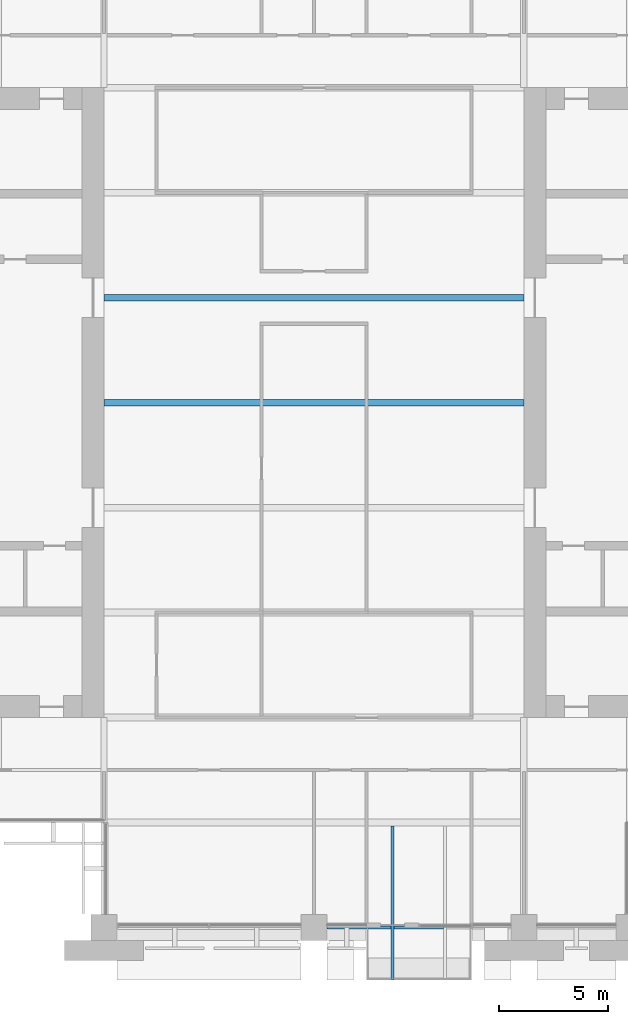
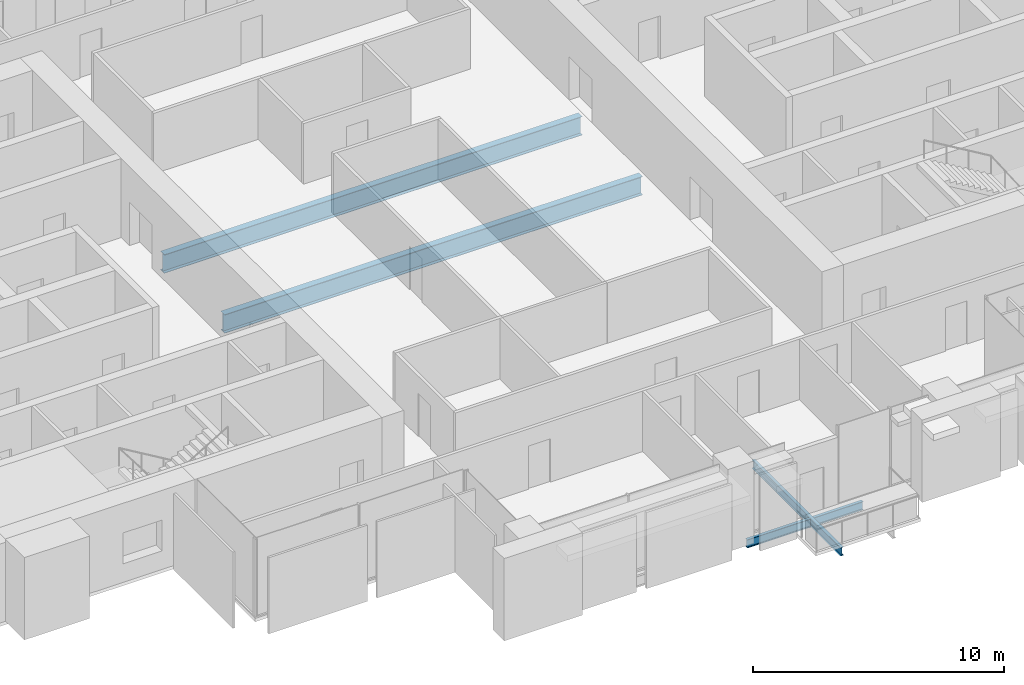
# One storey, part 3 of 15: 5 beams.
"""IFC4 building model written with IfcOpenShell, lengths in metres."""

import ifcopenshell
import ifcopenshell.guid

model = None  # the IFC model being written
_history = None  # IfcOwnerHistory: only IFC2X3 demands one
_inside = {}  # id of a spatial element -> (the spatial element, [elements in it])
_under = {}  # id of a project, library or spatial element -> (it, [spatial elements below it])
_declared = {}  # id of a project -> (the project, [libraries it declares])
_typed = {}  # id of a type object -> (the type object, [elements of that type])
_made_of = {}  # id of a material, layer set ... -> (it, [elements and type objects made of it])


def new_model(schema):
    """Start an empty IFC model of exactly this schema.

    Asked for "IFC4X3", IfcOpenShell would pick the latest addendum, in which some entities
    have other attributes; the version numbers below select the first issue.
    IFC2X3 requires an IfcOwnerHistory on every rooted entity: one is made here for all.
    """
    global model, _history
    if schema == "IFC4X3":
        model = ifcopenshell.file(schema_version=(4, 3, 0, 0))
    else:
        model = ifcopenshell.file(schema=schema)
    _inside.clear()
    _under.clear()
    _declared.clear()
    _typed.clear()
    _made_of.clear()
    _history = None
    if model.schema == "IFC2X3":
        org = make("IfcOrganization", Name="unknown")
        user = make(
            "IfcPersonAndOrganization",
            ThePerson=make("IfcPerson", FamilyName="unknown"),
            TheOrganization=org,
        )
        app = make(
            "IfcApplication",
            ApplicationDeveloper=org,
            Version="unknown",
            ApplicationFullName="unknown",
            ApplicationIdentifier="unknown",
        )
        _history = make(
            "IfcOwnerHistory",
            OwningUser=user,
            OwningApplication=app,
            ChangeAction="ADDED",
            CreationDate=0,
        )
    return model


def make(cls, **values):
    """One entity of the class cls with the attributes given. An attribute that is None is left unset."""
    return model.create_entity(
        cls, **{name: value for name, value in values.items() if value is not None}
    )


def rooted(cls, **values):
    """An entity with a GlobalId (a new one), such as an element, a storey or a relation."""
    return make(cls, GlobalId=ifcopenshell.guid.new(), OwnerHistory=_history, **values)


def si_unit(unit_type, name, prefix=None):
    """IfcSIUnit, for example si_unit("LENGTHUNIT", "METRE", prefix="MILLI")."""
    return make("IfcSIUnit", UnitType=unit_type, Prefix=prefix, Name=name)


def assignment(units):
    """IfcUnitAssignment: the units of a project."""
    return None if units is None else make("IfcUnitAssignment", Units=units)


def point(xyz):
    """IfcCartesianPoint."""
    return None if xyz is None else make("IfcCartesianPoint", Coordinates=xyz)


def direction(xyz):
    """IfcDirection."""
    return None if xyz is None else make("IfcDirection", DirectionRatios=xyz)


def frame(location, z_axis=None, x_axis=None):
    """IfcAxis2Placement3D, a coordinate frame: its origin and axes. An axis left out is left unset."""
    return make(
        "IfcAxis2Placement3D",
        Location=point(location),
        Axis=direction(z_axis),
        RefDirection=direction(x_axis),
    )


def frame_2d(location, x_axis=None):
    """IfcAxis2Placement2D, a coordinate frame in the plane: its origin and x axis."""
    return make(
        "IfcAxis2Placement2D", Location=point(location), RefDirection=direction(x_axis)
    )


def origin():
    """The frame at (0, 0, 0) with its axes left unset."""
    return frame((0.0, 0.0, 0.0))


def origin_2d():
    """The frame at (0, 0) in the plane with its x axis left unset."""
    return frame_2d((0.0, 0.0))


def place(relative_to, where):
    """IfcLocalPlacement: puts the frame where relative to a parent placement (None: the world)."""
    return make(
        "IfcLocalPlacement", PlacementRelTo=relative_to, RelativePlacement=where
    )


def context(
    kind, dimensions, precision=None, world=None, true_north=None, identifier=None
):
    """IfcGeometricRepresentationContext, for example the 3D "Model" context."""
    return make(
        "IfcGeometricRepresentationContext",
        ContextIdentifier=identifier,
        ContextType=kind,
        CoordinateSpaceDimension=dimensions,
        Precision=precision,
        WorldCoordinateSystem=world,
        TrueNorth=true_north,
    )


def subcontext(parent, identifier, kind, view, scale=None):
    """IfcGeometricRepresentationSubContext, for example "Body" below "Model"."""
    return make(
        "IfcGeometricRepresentationSubContext",
        ContextIdentifier=identifier,
        ContextType=kind,
        ParentContext=parent,
        TargetScale=scale,
        TargetView=view,
    )


def project(units=None, contexts=None):
    """IfcProject with its units and contexts."""
    return rooted(
        "IfcProject",
        Name="project",
        RepresentationContexts=contexts,
        UnitsInContext=assignment(units),
    )


def spatial(cls, under=None, at=None, **own):
    """A site, building, storey or space (cls), placed at a placement, below another one or the project."""
    s = rooted(cls, ObjectPlacement=at, **own)
    if under is not None:
        _under.setdefault(under.id(), (under, []))[1].append(s)
    return s


def profile(cls, at=None, kind="AREA", **sizes):
    """A parametric profile (cls). Its sizes go by their IFC names, for example OverallWidth=200.0."""
    return make(cls, ProfileType=kind, Position=at, **sizes)


def i_section(**sizes):
    """IfcIShapeProfileDef."""
    return profile("IfcIShapeProfileDef", **sizes)


def extrude(swept, where, along, depth):
    """IfcExtrudedAreaSolid: the profile swept, set in the frame where, extruded along a direction by depth."""
    return make(
        "IfcExtrudedAreaSolid",
        SweptArea=swept,
        Position=where,
        ExtrudedDirection=direction(along),
        Depth=depth,
    )


def shape(context_of_items, identifier, shape_type, items):
    """IfcShapeRepresentation: the items that make up one representation, for example the "Body"."""
    return make(
        "IfcShapeRepresentation",
        ContextOfItems=context_of_items,
        RepresentationIdentifier=identifier,
        RepresentationType=shape_type,
        Items=items,
    )


def material(Name=None, Category=None):
    """IfcMaterial."""
    return make("IfcMaterial", Name=Name, Category=Category)


def material_profile(
    of_material, cross_section, Name=None, Category=None, Priority=None
):
    """IfcMaterialProfile: a cross section and its material."""
    return make(
        "IfcMaterialProfile",
        Name=Name,
        Material=of_material,
        Profile=cross_section,
        Priority=Priority,
        Category=Category,
    )


def profile_set(profiles, Name=None, composite=None):
    """IfcMaterialProfileSet."""
    return make(
        "IfcMaterialProfileSet",
        Name=Name,
        MaterialProfiles=profiles,
        CompositeProfile=composite,
    )


def made_of(thing, what):
    """Note that an element or type object is made of a material, layer set ...; save() writes the relation."""
    if what is not None:
        _made_of.setdefault(what.id(), (what, []))[1].append(thing)
    return thing


def type_object(cls, material=None, **own):
    """A type object (cls), such as IfcWallType, which elements share."""
    return made_of(rooted(cls, **own), material)


def element(
    cls,
    number,
    at=None,
    inside=None,
    cuts=None,
    type_object=None,
    material=None,
    context=None,
    identifier="Body",
    shape_type=None,
    held_by="IfcProductDefinitionShape",
    body=None,
    shapes=None,
    **own,
):
    """One element of the class cls, such as IfcWall. Its Tag is "e" and its number.

    at: its placement. inside: the storey or other place that contains it. cuts: it is an
    opening in that element (IfcRelVoidsElement). A single representation is given by context,
    identifier, shape_type and body (its items); several are given by shapes. held_by: the class
    of the entity that holds the representations. save() writes the other relations.
    """
    e = rooted(cls, Tag="e%d" % number, ObjectPlacement=at, **own)
    if body is not None:
        shapes = [shape(context, identifier, shape_type, body)]
    if shapes is not None:
        e.Representation = make(held_by, Representations=shapes)
    if inside is not None:
        _inside.setdefault(inside.id(), (inside, []))[1].append(e)
    if cuts is not None:
        rooted(
            "IfcRelVoidsElement", RelatingBuildingElement=cuts, RelatedOpeningElement=e
        )
    if type_object is not None:
        _typed.setdefault(type_object.id(), (type_object, []))[1].append(e)
    return made_of(e, material)


def aggregate(whole, parts):
    """IfcRelAggregates: a whole, such as a stair, and the parts it consists of."""
    return rooted("IfcRelAggregates", RelatingObject=whole, RelatedObjects=parts)


def save(model, path):
    """Write the relations noted so far, then the file.

    IfcRelAggregates (storeys below a building ...), IfcRelContainedInSpatialStructure (elements
    in a storey), IfcRelDefinesByType, IfcRelAssociatesMaterial and IfcRelDeclares: one each for
    every whole, place, type object, material and project.
    """
    for whole, parts in _under.values():
        aggregate(whole, parts)
    for where, things in _inside.values():
        rooted(
            "IfcRelContainedInSpatialStructure",
            RelatedElements=things,
            RelatingStructure=where,
        )
    for kind, things in _typed.values():
        rooted("IfcRelDefinesByType", RelatedObjects=things, RelatingType=kind)
    for what, things in _made_of.values():
        rooted("IfcRelAssociatesMaterial", RelatedObjects=things, RelatingMaterial=what)
    for by, libraries in _declared.values():
        rooted("IfcRelDeclares", RelatingContext=by, RelatedDefinitions=libraries)
    model.write(path)


model = new_model("IFC4")

# Units and contexts
model_context = context("Model", 3, precision=1e-05, world=origin(), true_north=direction((0.0, 1.0)))
body_context = subcontext(model_context, "Body", "Model", "MODEL_VIEW")
ifc_project = project(units=[si_unit("LENGTHUNIT", "METRE"), si_unit("AREAUNIT", "SQUARE_METRE"), si_unit("VOLUMEUNIT", "CUBIC_METRE"), si_unit("PLANEANGLEUNIT", "RADIAN"), si_unit("MASSUNIT", "GRAM", prefix="KILO")], contexts=[model_context])

# Site, building, storey
site_placement = place(None, origin())
site = spatial("IfcSite", under=ifc_project, at=site_placement, CompositionType="ELEMENT")
building_placement = place(site_placement, origin())
building = spatial("IfcBuilding", under=site, at=building_placement, Name="Baori Bourse Tower", CompositionType="ELEMENT")
storey_placement = place(building_placement, frame((0.0, 0.0, 164.10009765625)))
storey = spatial("IfcBuildingStorey", under=building, at=storey_placement, Name="L36", CompositionType="ELEMENT", Elevation=164.10009765625)

# Beams
ifc_material_1 = material(Name="Steel A992 Gr 50", Category="steel")
ifc_material_profile_1 = material_profile(ifc_material_1, i_section(OverallWidth=0.140380859375, OverallDepth=0.40380859375, WebThickness=0.007080078125, FlangeThickness=0.01123046875, at=origin_2d()), Name="W16x31")
ifc_profile_set_1 = profile_set([ifc_material_profile_1], Name="Steel A992 Gr 50")
beam_type_1 = type_object("IfcBeamType", Name="Balcony beam W16x31", PredefinedType="BEAM", material=ifc_profile_set_1)
beam_1_placement = place(storey_placement, frame((32.39990234375, -2.39990234375, -0.362060546875), z_axis=(0.0, 1.0, 0.0), x_axis=(-1.0, 0.0, 0.0)))
element("IfcBeam", 1, at=beam_1_placement, inside=storey, type_object=beam_type_1, Name="Balcony beam L36", PredefinedType="BEAM", context=body_context, shape_type="SweptSolid", body=[
    extrude(i_section(OverallWidth=0.140380859375, OverallDepth=0.40380859375, WebThickness=0.007080078125, FlangeThickness=0.01123046875, at=origin_2d()), origin(), (0.0, 0.0, 1.0), 7.050048828125),
])
ifc_material_2 = material(Name="Steel A992 Gr 50", Category="steel")
ifc_material_profile_2 = material_profile(ifc_material_2, i_section(OverallWidth=0.140380859375, OverallDepth=0.40380859375, WebThickness=0.007080078125, FlangeThickness=0.01123046875, at=origin_2d()), Name="W16x31")
ifc_profile_set_2 = profile_set([ifc_material_profile_2], Name="Steel A992 Gr 50")
beam_type_2 = type_object("IfcBeamType", Name="Edge beam W16x31", PredefinedType="BEAM", material=ifc_profile_set_2)
beam_2_placement = place(storey_placement, frame((29.39990234375, 0.0, -0.362060546875), z_axis=(1.0, 0.0, 0.0), x_axis=(0.0, 1.0, 0.0)))
element("IfcBeam", 2, at=beam_2_placement, inside=storey, type_object=beam_type_2, Name="Edge beam L36", PredefinedType="BEAM", context=body_context, shape_type="SweptSolid", body=[
    extrude(i_section(OverallWidth=0.140380859375, OverallDepth=0.40380859375, WebThickness=0.007080078125, FlangeThickness=0.01123046875, at=origin_2d()), origin(), (0.0, 0.0, 1.0), 2.929931640625),
])
beam_3_placement = place(storey_placement, frame((32.47021484375, 0.0, -0.362060546875), z_axis=(1.0, 0.0, 0.0), x_axis=(0.0, 1.0, 0.0)))
element("IfcBeam", 3, at=beam_3_placement, inside=storey, type_object=beam_type_2, Name="Edge beam L36", PredefinedType="BEAM", context=body_context, shape_type="SweptSolid", body=[
    extrude(i_section(OverallWidth=0.140380859375, OverallDepth=0.40380859375, WebThickness=0.007080078125, FlangeThickness=0.01123046875, at=origin_2d()), origin(), (0.0, 0.0, 1.0), 2.259521484375),
])
ifc_material_3 = material(Name="Steel A992 Gr 50", Category="steel")
ifc_material_profile_3 = material_profile(ifc_material_3, i_section(OverallWidth=0.3046875, OverallDepth=0.904296875, WebThickness=0.01513671875, FlangeThickness=0.02001953125, at=origin_2d()), Name="W36x135")
ifc_profile_set_3 = profile_set([ifc_material_profile_3], Name="Steel A992 Gr 50")
beam_type_3 = type_object("IfcBeamType", Name="Floor beam W36x135", PredefinedType="BEAM", material=ifc_profile_set_3)
for number, where, z_axis, x_axis, name in (
    (4, (19.199951171875, 24.0, -0.6123046875), (1.0, 0.0, 0.0), (0.0, 1.0, 0.0), "Floor beam L36"),
    (5, (19.199951171875, 28.800048828125, -0.6123046875), (1.0, 0.0, 0.0), (0.0, 1.0, 0.0), "Floor beam L36"),
):
    element("IfcBeam", number, at=place(storey_placement, frame(where, z_axis=z_axis, x_axis=x_axis)), inside=storey, type_object=beam_type_3, Name=name, PredefinedType="BEAM", context=body_context, shape_type="SweptSolid", body=[
        extrude(i_section(OverallWidth=0.3046875, OverallDepth=0.904296875, WebThickness=0.01513671875, FlangeThickness=0.02001953125, at=origin_2d()), origin(), (0.0, 0.0, 1.0), 19.199951171875),
    ])

save(model, "model.ifc")
